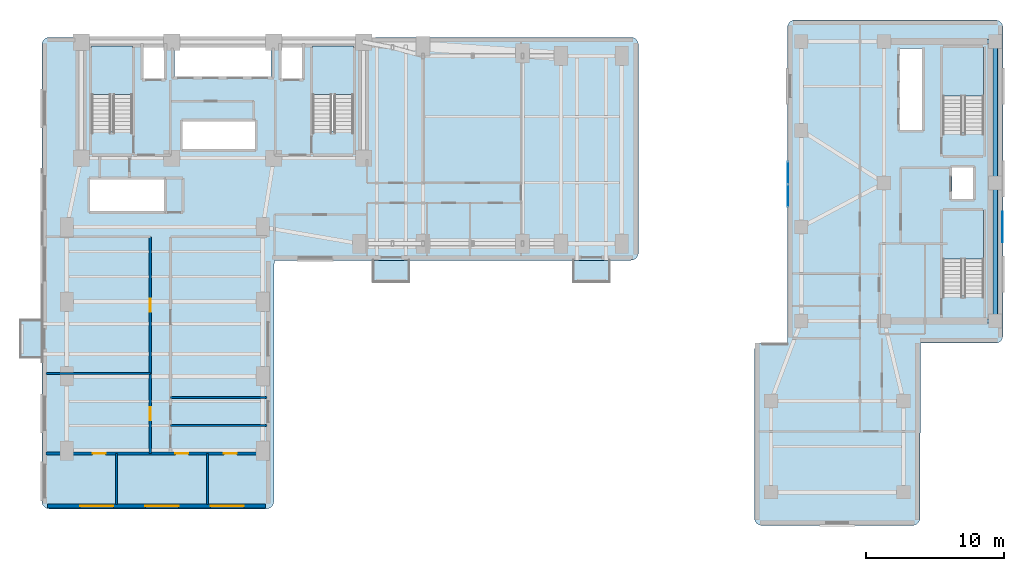
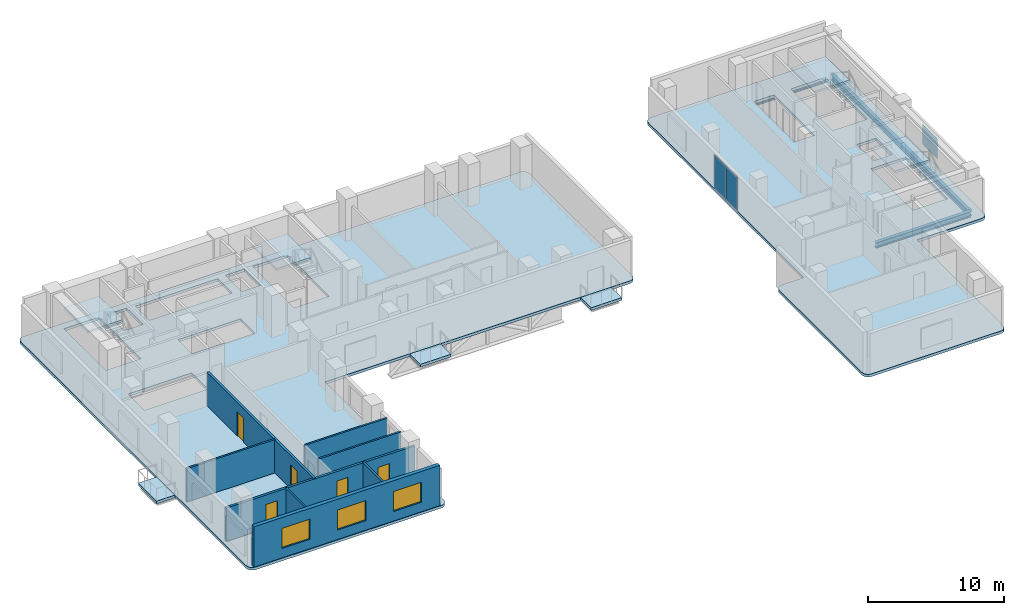
# One storey, part 7 of 15: 9 slabs, 8 walls, 5 doors, 4 beams, 3 plates, 3 windows, 8 openings, 5 elements without a shape of their own.
"""IFC4 building model written with IfcOpenShell, lengths in metres."""

from ifc_helpers import new_model, si_unit, direction, frame, frame_2d, origin, origin_2d, place, context, subcontext, project, spatial, polyline, rectangle, i_section, outline, extrude, material, layer, layer_set, material_profile, profile_set, type_object, element, fill, aggregate, save


model = new_model("IFC4")

# Units and contexts
model_context = context("Model", 3, precision=1e-05, world=origin(), true_north=direction((0.0, 1.0)))
body_context = subcontext(model_context, "Body", "Model", "MODEL_VIEW")
ifc_project = project(units=[si_unit("LENGTHUNIT", "METRE"), si_unit("AREAUNIT", "SQUARE_METRE"), si_unit("VOLUMEUNIT", "CUBIC_METRE"), si_unit("PLANEANGLEUNIT", "RADIAN"), si_unit("MASSUNIT", "GRAM", prefix="KILO")], contexts=[model_context])

# Site, building, storey
site_placement = place(None, origin())
site = spatial("IfcSite", under=ifc_project, at=site_placement, CompositionType="ELEMENT")
building_placement = place(site_placement, origin())
building = spatial("IfcBuilding", under=site, at=building_placement, Name="Kuzgunbayir Cultural Tower", CompositionType="ELEMENT")
storey_placement = place(building_placement, frame((0.0, 0.0, 39.800048828125)))
storey = spatial("IfcBuildingStorey", under=building, at=storey_placement, Name="L10", CompositionType="ELEMENT", Elevation=39.800048828125)

# Beams
ifc_material_1 = material(Name="Steel S355J2", Category="steel")
ifc_material_profile = material_profile(ifc_material_1, i_section(OverallWidth=0.300048828125, OverallDepth=0.5, WebThickness=0.014404296875, FlangeThickness=0.028076171875, FilletRadius=0.027099609375, at=origin_2d()), Name="HEB 500")
ifc_profile_set = profile_set([ifc_material_profile], Name="Steel S355J2")
beam_type = type_object("IfcBeamType", Name="BM-GIR-HEB500", PredefinedType="BEAM", material=ifc_profile_set)
beam_1_placement = place(storey_placement, frame((72.64990234375, 22.0, -0.489990234375), z_axis=(0.0, 1.0, 0.0), x_axis=(-1.0, 0.0, 0.0)))
element("IfcBeam", 1, at=beam_1_placement, inside=storey, type_object=beam_type, Name="L10 Companion Core East Girder 1", PredefinedType="BEAM", context=body_context, shape_type="SweptSolid", body=[
    extrude(i_section(OverallWidth=0.300048828125, OverallDepth=0.5, WebThickness=0.014404296875, FlangeThickness=0.028076171875, FilletRadius=0.027099609375, at=origin_2d()), origin(), (0.0, 0.0, 1.0), 10.0),
])
beam_2_placement = place(storey_placement, frame((72.64990234375, 32.0, -0.489990234375), z_axis=(0.0, 1.0, 0.0), x_axis=(-1.0, 0.0, 0.0)))
element("IfcBeam", 2, at=beam_2_placement, inside=storey, type_object=beam_type, Name="L10 Companion Core East Girder 2", PredefinedType="BEAM", context=body_context, shape_type="SweptSolid", body=[
    extrude(i_section(OverallWidth=0.300048828125, OverallDepth=0.5, WebThickness=0.014404296875, FlangeThickness=0.028076171875, FilletRadius=0.027099609375, at=origin_2d()), origin(), (0.0, 0.0, 1.0), 10.25),
])
for number, where, z_axis, x_axis, name in (
    (3, (64.60009765625, 22.0, -0.489990234375), (1.0, 0.0, 0.0), (0.0, 1.0, 0.0), "L10 Companion Core South Girder"),
    (4, (64.60009765625, 42.25, -0.489990234375), (1.0, 0.0, 0.0), (0.0, 1.0, 0.0), "L10 Companion Core North Girder"),
):
    element("IfcBeam", number, at=place(storey_placement, frame(where, z_axis=z_axis, x_axis=x_axis)), inside=storey, type_object=beam_type, Name=name, PredefinedType="BEAM", context=body_context, shape_type="SweptSolid", body=[
        extrude(i_section(OverallWidth=0.300048828125, OverallDepth=0.5, WebThickness=0.014404296875, FlangeThickness=0.028076171875, FilletRadius=0.027099609375, at=origin_2d()), origin(), (0.0, 0.0, 1.0), 8.0498046875),
    ])

# Curtain wall, plates
ifc_material_2 = material(Name="Anodised Aluminium Framing", Category="aluminium")
curtain_wall_type = type_object("IfcCurtainWallType", Name="CW04-T2-CULTURAL", PredefinedType="NOTDEFINED", material=ifc_material_2)
curtain_wall_placement = place(storey_placement, origin())
curtain_wall = element("IfcCurtainWall", 5, at=curtain_wall_placement, inside=storey, type_object=curtain_wall_type, Name="L10 Companion Cultural Curtain Wall", PredefinedType="NOTDEFINED")
ifc_material_3 = material(Name="Solar-Control Triple Glazing", Category="glass")
ifc_layer_1 = layer(ifc_material_3, 0.035888671875)
ifc_layer_set_1 = layer_set([ifc_layer_1], Name="Solar-Control Triple Glazing")
plate_type_1 = type_object("IfcPlateType", Name="PLT-CW-GLASS-36", PredefinedType="CURTAIN_PANEL", material=ifc_layer_set_1)
plate_1_placement = place(storey_placement, frame((57.6201171875, 31.06494140625, 0.06005859375), z_axis=(0.0, 0.0, 1.0), x_axis=(0.0, 1.0, 0.0)))
plate_1 = element("IfcPlate", 6, at=plate_1_placement, type_object=plate_type_1, Name="CW04 panel 1.1", PredefinedType="CURTAIN_PANEL", context=body_context, shape_type="SweptSolid", body=[
    extrude(rectangle(XDim=1.610107421875, YDim=0.035888671875, at=origin_2d()), origin(), (0.0, 0.0, 1.0), 2.949951171875),
])
plate_2_placement = place(storey_placement, frame((57.6201171875, 32.735107421875, 0.06005859375), z_axis=(0.0, 0.0, 1.0), x_axis=(0.0, 1.0, 0.0)))
plate_2 = element("IfcPlate", 7, at=plate_2_placement, type_object=plate_type_1, Name="CW04 panel 2.1", PredefinedType="CURTAIN_PANEL", context=body_context, shape_type="SweptSolid", body=[
    extrude(rectangle(XDim=1.610107421875, YDim=0.035888671875, at=origin_2d()), origin(), (0.0, 0.0, 1.0), 2.949951171875),
])
aggregate(curtain_wall, [plate_1, plate_2])

# Plate
ifc_material_4 = material(Name="Perforated Bronze-Anodised Aluminium", Category="aluminium")
ifc_layer_2 = layer(ifc_material_4, 0.02392578125)
ifc_layer_set_2 = layer_set([ifc_layer_2], Name="Perforated Bronze-Anodised Aluminium")
plate_type_2 = type_object("IfcPlateType", Name="PLT-SOLAR-SCREEN-14", PredefinedType="SHEET", material=ifc_layer_set_2)
plate_3_placement = place(storey_placement, frame((73.169921875, 28.800048828125, 0.75), z_axis=(0.0, 0.0, 1.0), x_axis=(1.0, 0.0, 0.0)))
element("IfcPlate", 8, at=plate_3_placement, inside=storey, type_object=plate_type_2, Name="L10 Companion Perforated Ceramic Solar Screen Panel", PredefinedType="SHEET", context=body_context, shape_type="SweptSolid", body=[
    extrude(rectangle(XDim=0.02392578125, YDim=2.199951171875, at=origin_2d()), origin(), (0.0, 0.0, 1.0), 1.800048828125),
])

# Slabs
ifc_material_5 = material(Name="Concrete C40/50", Category="concrete")
ifc_layer_3 = layer(ifc_material_5, 0.239990234375)
ifc_layer_set_3 = layer_set([ifc_layer_3], Name="Concrete C40/50")
slab_type_1 = type_object("IfcSlabType", Name="SLB-BAL-TRN", PredefinedType="FLOOR", material=ifc_layer_set_3)
slab_1_placement = place(storey_placement, frame((0.0, 0.0, -0.239990234375)))
element("IfcSlab", 9, at=slab_1_placement, inside=storey, type_object=slab_type_1, Name="L10 Projecting Limestone Balcony BAL-L10-WA2", PredefinedType="FLOOR", context=body_context, shape_type="SweptSolid", body=[
    extrude(outline(polyline([(2.0400390625, 19.35009765625), (3.60009765625, 19.35009765625), (3.60009765625, 22.050048828125), (2.0400390625, 22.050048828125), (2.0400390625, 19.35009765625)])), origin(), (0.0, 0.0, 1.0), 0.239990234375),
])
slab_2_placement = place(storey_placement, frame((0.0, 0.0, -0.239990234375)))
element("IfcSlab", 10, at=slab_2_placement, inside=storey, type_object=slab_type_1, Name="L10 Projecting Limestone Balcony BAL-L10-WB1", PredefinedType="FLOOR", context=body_context, shape_type="SweptSolid", body=[
    extrude(outline(polyline([(27.60009765625, 24.840087890625), (30.199951171875, 24.840087890625), (30.199951171875, 26.39990234375), (27.60009765625, 26.39990234375), (27.60009765625, 24.840087890625)])), origin(), (0.0, 0.0, 1.0), 0.239990234375),
])
slab_3_placement = place(storey_placement, frame((0.0, 0.0, -0.239990234375)))
element("IfcSlab", 11, at=slab_3_placement, inside=storey, type_object=slab_type_1, Name="L10 Projecting Limestone Balcony BAL-L10-WB3", PredefinedType="FLOOR", context=body_context, shape_type="SweptSolid", body=[
    extrude(outline(polyline([(42.10009765625, 24.840087890625), (44.699951171875, 24.840087890625), (44.699951171875, 26.39990234375), (42.10009765625, 26.39990234375), (42.10009765625, 24.840087890625)])), origin(), (0.0, 0.0, 1.0), 0.239990234375),
])

# Stair, slab
stair_type = type_object("IfcStairType", Name="STR-EXIT-CORE", PredefinedType="HALF_TURN_STAIR", material=ifc_material_5)
stair_1_placement = place(storey_placement, origin())
stair_1 = element("IfcStair", 12, at=stair_1_placement, inside=storey, type_object=stair_type, Name="L10 ST-1", PredefinedType="HALF_TURN_STAIR")
ifc_layer_4 = layer(ifc_material_5, 0.179931640625)
ifc_layer_set_4 = layer_set([ifc_layer_4], Name="Concrete C40/50")
slab_type_2 = type_object("IfcSlabType", Name="SLB-LANDING-180", PredefinedType="LANDING", material=ifc_layer_set_4)
slab_4_placement = place(storey_placement, frame((0.0, 0.0, 1.699951171875)))
slab_4 = element("IfcSlab", 13, at=slab_4_placement, type_object=slab_type_2, Name="ST-1 landing 1", PredefinedType="LANDING", context=body_context, shape_type="SweptSolid", body=[
    extrude(outline(polyline([(10.159912109375, 38.39990234375), (10.159912109375, 41.89990234375), (7.199951171875, 41.89990234375), (7.199951171875, 38.39990234375), (10.159912109375, 38.39990234375)])), origin(), (0.0, 0.0, 1.0), 0.199951171875),
])
aggregate(stair_1, [slab_4])

stair_2_placement = place(storey_placement, origin())
stair_2 = element("IfcStair", 14, at=stair_2_placement, inside=storey, type_object=stair_type, Name="L10 ST-2", PredefinedType="HALF_TURN_STAIR")
slab_5_placement = place(storey_placement, frame((0.0, 0.0, 1.699951171875)))
slab_5 = element("IfcSlab", 15, at=slab_5_placement, type_object=slab_type_2, Name="ST-2 landing 1", PredefinedType="LANDING", context=body_context, shape_type="SweptSolid", body=[
    extrude(outline(polyline([(26.159912109375, 38.39990234375), (26.159912109375, 41.89990234375), (23.199951171875, 41.89990234375), (23.199951171875, 38.39990234375), (26.159912109375, 38.39990234375)])), origin(), (0.0, 0.0, 1.0), 0.199951171875),
])
aggregate(stair_2, [slab_5])

stair_3_placement = place(storey_placement, origin())
stair_3 = element("IfcStair", 16, at=stair_3_placement, inside=storey, type_object=stair_type, Name="L10 ST-3", PredefinedType="HALF_TURN_STAIR")
slab_6_placement = place(storey_placement, frame((0.0, 0.0, 1.699951171875)))
slab_6 = element("IfcSlab", 17, at=slab_6_placement, type_object=slab_type_2, Name="ST-3 landing 1", PredefinedType="LANDING", context=body_context, shape_type="SweptSolid", body=[
    extrude(outline(polyline([(71.800048828125, 26.5), (71.800048828125, 30.0), (68.840087890625, 30.0), (68.840087890625, 26.5), (71.800048828125, 26.5)])), origin(), (0.0, 0.0, 1.0), 0.199951171875),
])
aggregate(stair_3, [slab_6])

stair_4_placement = place(storey_placement, origin())
stair_4 = element("IfcStair", 18, at=stair_4_placement, inside=storey, type_object=stair_type, Name="L10 ST-4", PredefinedType="HALF_TURN_STAIR")
slab_7_placement = place(storey_placement, frame((0.0, 0.0, 1.699951171875)))
slab_7 = element("IfcSlab", 19, at=slab_7_placement, type_object=slab_type_2, Name="ST-4 landing 1", PredefinedType="LANDING", context=body_context, shape_type="SweptSolid", body=[
    extrude(outline(polyline([(71.800048828125, 38.300048828125), (71.800048828125, 41.800048828125), (68.840087890625, 41.800048828125), (68.840087890625, 38.300048828125), (71.800048828125, 38.300048828125)])), origin(), (0.0, 0.0, 1.0), 0.199951171875),
])
aggregate(stair_4, [slab_7])

# Slabs
ifc_layer_5 = layer(ifc_material_5, 0.239990234375)
ifc_layer_set_5 = layer_set([ifc_layer_5], Name="Concrete C40/50")
slab_type_3 = type_object("IfcSlabType", Name="SLB-TRN-240", PredefinedType="FLOOR", material=ifc_layer_set_5)
slab_8_placement = place(storey_placement, frame((0.0, 0.0, -0.239990234375)))
element("IfcSlab", 20, at=slab_8_placement, inside=storey, type_object=slab_type_3, Name="L10 Tower 1 Floor Slab T1-MAIN", PredefinedType="FLOOR", context=body_context, shape_type="SweptSolid", body=[
    extrude(outline(polyline([(20.39990234375, 8.949951171875), (20.389892578125, 8.840087890625), (20.360107421875, 8.739990234375), (20.31005859375, 8.639892578125), (20.239990234375, 8.56005859375), (20.159912109375, 8.489990234375), (20.06005859375, 8.43994140625), (19.9599609375, 8.409912109375), (19.85009765625, 8.39990234375), (4.14990234375, 8.39990234375), (4.0400390625, 8.409912109375), (3.93994140625, 8.43994140625), (3.840087890625, 8.489990234375), (3.760009765625, 8.56005859375), (3.68994140625, 8.639892578125), (3.639892578125, 8.739990234375), (3.610107421875, 8.840087890625), (3.60009765625, 8.949951171875), (3.60009765625, 42.0), (3.610107421875, 42.110107421875), (3.639892578125, 42.2099609375), (3.68994140625, 42.31005859375), (3.760009765625, 42.389892578125), (3.840087890625, 42.4599609375), (3.93994140625, 42.510009765625), (4.0400390625, 42.5400390625), (4.14990234375, 42.550048828125), (46.25, 42.550048828125), (46.360107421875, 42.5400390625), (46.4599609375, 42.510009765625), (46.56005859375, 42.4599609375), (46.639892578125, 42.389892578125), (46.7099609375, 42.31005859375), (46.760009765625, 42.2099609375), (46.7900390625, 42.110107421875), (46.800048828125, 42.0), (46.800048828125, 26.949951171875), (46.7900390625, 26.840087890625), (46.760009765625, 26.739990234375), (46.7099609375, 26.639892578125), (46.639892578125, 26.56005859375), (46.56005859375, 26.489990234375), (46.4599609375, 26.43994140625), (46.360107421875, 26.409912109375), (46.25, 26.39990234375), (20.429931640625, 26.39990234375), (20.39990234375, 8.949951171875)]), holes=[polyline([(7.199951171875, 35.760009765625), (7.199951171875, 41.89990234375), (10.159912109375, 41.89990234375), (10.159912109375, 35.760009765625), (7.199951171875, 35.760009765625)]), polyline([(23.199951171875, 35.760009765625), (23.199951171875, 41.89990234375), (26.159912109375, 41.89990234375), (26.159912109375, 35.760009765625), (23.199951171875, 35.760009765625)]), polyline([(13.199951171875, 39.699951171875), (13.199951171875, 41.800048828125), (20.199951171875, 41.800048828125), (20.199951171875, 39.699951171875), (13.199951171875, 39.699951171875)]), polyline([(13.75, 34.39990234375), (13.75, 36.5), (19.080078125, 36.5), (19.080078125, 34.39990234375), (13.75, 34.39990234375)]), polyline([(7.10009765625, 29.89990234375), (7.10009765625, 32.300048828125), (12.5, 32.300048828125), (12.5, 29.89990234375), (7.10009765625, 29.89990234375)]), polyline([(10.89990234375, 39.5), (10.89990234375, 41.89990234375), (12.5, 41.89990234375), (12.5, 39.5), (10.89990234375, 39.5)]), polyline([(20.89990234375, 39.5), (20.89990234375, 41.89990234375), (22.5, 41.89990234375), (22.5, 39.5), (20.89990234375, 39.5)])]), origin(), (0.0, 0.0, 1.0), 0.239990234375),
])
slab_9_placement = place(storey_placement, frame((0.0, 0.0, -0.239990234375)))
element("IfcSlab", 21, at=slab_9_placement, inside=storey, type_object=slab_type_3, Name="L10 Companion Tower 2 Floor Slab", PredefinedType="FLOOR", context=body_context, shape_type="SweptSolid", body=[
    extrude(outline(polyline([(57.60009765625, 20.39990234375), (57.60009765625, 43.25), (57.610107421875, 43.360107421875), (57.639892578125, 43.4599609375), (57.68994140625, 43.56005859375), (57.760009765625, 43.639892578125), (57.840087890625, 43.7099609375), (57.93994140625, 43.760009765625), (58.0400390625, 43.7900390625), (58.14990234375, 43.800048828125), (72.64990234375, 43.800048828125), (72.760009765625, 43.7900390625), (72.860107421875, 43.760009765625), (72.9599609375, 43.7099609375), (73.0400390625, 43.639892578125), (73.110107421875, 43.56005859375), (73.159912109375, 43.4599609375), (73.18994140625, 43.360107421875), (73.199951171875, 43.25), (73.199951171875, 20.949951171875), (73.18994140625, 20.840087890625), (73.159912109375, 20.739990234375), (73.110107421875, 20.639892578125), (73.0400390625, 20.56005859375), (72.9599609375, 20.489990234375), (72.860107421875, 20.43994140625), (72.760009765625, 20.409912109375), (72.64990234375, 20.39990234375), (67.22998046875, 20.39990234375), (67.199951171875, 7.75), (67.18994140625, 7.639892578125), (67.159912109375, 7.5400390625), (67.110107421875, 7.43994140625), (67.0400390625, 7.360107421875), (66.9599609375, 7.2900390625), (66.860107421875, 7.239990234375), (66.760009765625, 7.2099609375), (66.64990234375, 7.199951171875), (55.75, 7.199951171875), (55.639892578125, 7.2099609375), (55.5400390625, 7.239990234375), (55.43994140625, 7.2900390625), (55.360107421875, 7.360107421875), (55.2900390625, 7.43994140625), (55.239990234375, 7.5400390625), (55.2099609375, 7.639892578125), (55.199951171875, 7.75), (55.199951171875, 19.85009765625), (55.2099609375, 19.9599609375), (55.239990234375, 20.06005859375), (55.2900390625, 20.159912109375), (55.360107421875, 20.239990234375), (55.43994140625, 20.31005859375), (55.5400390625, 20.360107421875), (55.639892578125, 20.389892578125), (55.75, 20.39990234375), (57.570068359375, 20.39990234375), (57.60009765625, 20.39990234375)]), holes=[polyline([(68.840087890625, 23.860107421875), (68.840087890625, 30.0), (71.800048828125, 30.0), (71.800048828125, 23.860107421875), (68.840087890625, 23.860107421875)]), polyline([(68.840087890625, 35.659912109375), (68.840087890625, 41.800048828125), (71.800048828125, 41.800048828125), (71.800048828125, 35.659912109375), (68.840087890625, 35.659912109375)]), polyline([(65.699951171875, 35.800048828125), (65.699951171875, 41.75), (67.39990234375, 41.75), (67.39990234375, 35.800048828125), (65.699951171875, 35.800048828125)]), polyline([(69.5, 30.800048828125), (69.5, 33.199951171875), (71.10009765625, 33.199951171875), (71.10009765625, 30.800048828125), (69.5, 30.800048828125)])]), origin(), (0.0, 0.0, 1.0), 0.239990234375),
])

# Wall, openings, windows
ifc_material_6 = material(Name="Travertine Buff Ashlar", Category="masonry")
ifc_layer_6 = layer(ifc_material_6, 0.320068359375)
ifc_layer_set_6 = layer_set([ifc_layer_6], Name="Travertine Buff Ashlar")
wall_type_1 = type_object("IfcWallType", Name="WAL-EXT-STONE-320", PredefinedType="STANDARD", material=ifc_layer_set_6)
wall_1_placement = place(storey_placement, frame((4.0, 8.60009765625, 0.0), z_axis=(0.0, 0.0, 1.0), x_axis=(1.0, 0.0, 0.0)))
wall_1 = element("IfcWall", 22, at=wall_1_placement, inside=storey, type_object=wall_type_1, Name="L10 Wing A South Limestone Wall", PredefinedType="STANDARD", context=body_context, shape_type="SweptSolid", body=[
    extrude(rectangle(XDim=15.800048828125, YDim=0.320068359375, at=frame_2d((7.89990234375, 0.0))), origin(), (0.0, 0.0, 1.0), 3.619873046875),
])
opening_1_placement = place(wall_1_placement, frame((7.10009765625, 0.0, 0.85009765625)))
opening_1 = element("IfcOpeningElement", 23, at=opening_1_placement, cuts=wall_1, Name="Opening WO-24", PredefinedType="OPENING", context=body_context, shape_type="SweptSolid", body=[
    extrude(rectangle(XDim=2.39990234375, YDim=1.800048828125, at=frame_2d((1.199951171875, 0.89990234375))), frame((0.0, 0.169921875, 0.0), z_axis=(0.0, -1.0, 0.0), x_axis=(1.0, 0.0, 0.0)), (0.0, 0.0, 1.0), 0.340087890625),
])
opening_2_placement = place(wall_1_placement, frame((2.3701171875, 0.0, 0.85009765625)))
opening_2 = element("IfcOpeningElement", 24, at=opening_2_placement, cuts=wall_1, Name="Opening WO-24", PredefinedType="OPENING", context=body_context, shape_type="SweptSolid", body=[
    extrude(rectangle(XDim=2.39990234375, YDim=1.800048828125, at=frame_2d((1.199951171875, 0.89990234375))), frame((0.0, 0.169921875, 0.0), z_axis=(0.0, -1.0, 0.0), x_axis=(1.0, 0.0, 0.0)), (0.0, 0.0, 1.0), 0.340087890625),
])
opening_3_placement = place(wall_1_placement, frame((11.830078125, 0.0, 0.85009765625)))
opening_3 = element("IfcOpeningElement", 25, at=opening_3_placement, cuts=wall_1, Name="Opening WO-24", PredefinedType="OPENING", context=body_context, shape_type="SweptSolid", body=[
    extrude(rectangle(XDim=2.39990234375, YDim=1.800048828125, at=frame_2d((1.199951171875, 0.89990234375))), frame((0.0, 0.169921875, 0.0), z_axis=(0.0, -1.0, 0.0), x_axis=(1.0, 0.0, 0.0)), (0.0, 0.0, 1.0), 0.340087890625),
])
window_type = type_object("IfcWindowType", Name="WIN-OFFICE-24", PartitioningType="SINGLE_PANEL", PredefinedType="WINDOW", material=ifc_material_3)
window_1_placement = place(opening_1_placement, origin())
window_1 = element("IfcWindow", 26, at=window_1_placement, inside=storey, type_object=window_type, Name="L10 WAS Facade Window 1", OverallHeight=1.800048828125, OverallWidth=2.39990234375, PartitioningType="SINGLE_PANEL", PredefinedType="WINDOW", context=body_context, shape_type="SweptSolid", body=[
    extrude(rectangle(XDim=2.39990234375, YDim=1.800048828125, at=frame_2d((1.199951171875, 0.89990234375))), frame((0.0, 0.030029296875, 0.0), z_axis=(0.0, -1.0, 0.0), x_axis=(1.0, 0.0, 0.0)), (0.0, 0.0, 1.0), 0.06005859375),
])
fill(opening_1, window_1)
window_2_placement = place(opening_2_placement, origin())
window_2 = element("IfcWindow", 27, at=window_2_placement, inside=storey, type_object=window_type, Name="L10 WAS Facade Window 9", OverallHeight=1.800048828125, OverallWidth=2.39990234375, PartitioningType="SINGLE_PANEL", PredefinedType="WINDOW", context=body_context, shape_type="SweptSolid", body=[
    extrude(rectangle(XDim=2.39990234375, YDim=1.800048828125, at=frame_2d((1.199951171875, 0.89990234375))), frame((0.0, 0.030029296875, 0.0), z_axis=(0.0, -1.0, 0.0), x_axis=(1.0, 0.0, 0.0)), (0.0, 0.0, 1.0), 0.06005859375),
])
fill(opening_2, window_2)
window_3_placement = place(opening_3_placement, origin())
window_3 = element("IfcWindow", 28, at=window_3_placement, inside=storey, type_object=window_type, Name="L10 WAS Facade Window 10", OverallHeight=1.800048828125, OverallWidth=2.39990234375, PartitioningType="SINGLE_PANEL", PredefinedType="WINDOW", context=body_context, shape_type="SweptSolid", body=[
    extrude(rectangle(XDim=2.39990234375, YDim=1.800048828125, at=frame_2d((1.199951171875, 0.89990234375))), frame((0.0, 0.030029296875, 0.0), z_axis=(0.0, -1.0, 0.0), x_axis=(1.0, 0.0, 0.0)), (0.0, 0.0, 1.0), 0.06005859375),
])
fill(opening_3, window_3)

# Walls
ifc_material_7 = material(Name="Acoustic Double-Stud Drywall", Category="gypsum")
ifc_layer_7 = layer(ifc_material_7, 0.14990234375)
ifc_layer_set_7 = layer_set([ifc_layer_7], Name="Acoustic Double-Stud Drywall")
wall_type_2 = type_object("IfcWallType", Name="WAL-PART-ACOUSTIC-150", PredefinedType="PARTITIONING", material=ifc_layer_set_7)
wall_2_placement = place(storey_placement, frame((3.89990234375, 18.2099609375, 0.0), z_axis=(0.0, 0.0, 1.0), x_axis=(1.0, 0.0, 0.0)))
element("IfcWall", 29, at=wall_2_placement, inside=storey, type_object=wall_type_2, Name="L10 West Suite Partition 1", PredefinedType="PARTITIONING", context=body_context, shape_type="SweptSolid", body=[
    extrude(rectangle(XDim=7.550048828125, YDim=0.14990234375, at=frame_2d((3.77490234375, 0.0))), origin(), (0.0, 0.0, 1.0), 3.0),
])
for number, where, z_axis, x_axis, name in (
    (30, (9.02001953125, 8.699951171875, 0.0), (0.0, 0.0, 1.0), (0.0, 1.0, 0.0), "L10 South Suite Divider 1"),
    (31, (15.580078125, 8.699951171875, 0.0), (0.0, 0.0, 1.0), (0.0, 1.0, 0.0), "L10 South Suite Divider 2"),
):
    element("IfcWall", number, at=place(storey_placement, frame(where, z_axis=z_axis, x_axis=x_axis)), inside=storey, type_object=wall_type_2, Name=name, PredefinedType="PARTITIONING", context=body_context, shape_type="SweptSolid", body=[
        extrude(rectangle(XDim=3.699951171875, YDim=0.14990234375, at=frame_2d((1.85009765625, 0.0))), origin(), (0.0, 0.0, 1.0), 3.0),
    ])

# Wall, openings, doors
ifc_material_8 = material(Name="Aerated Concrete Blockwork", Category="masonry")
ifc_layer_8 = layer(ifc_material_8, 0.199951171875)
ifc_layer_set_8 = layer_set([ifc_layer_8], Name="Aerated Concrete Blockwork")
wall_type_3 = type_object("IfcWallType", Name="WAL-PART-FIRE-200", PredefinedType="PARTITIONING", material=ifc_layer_set_8)
wall_3_placement = place(storey_placement, frame((11.449951171875, 12.39990234375, 0.0), z_axis=(0.0, 0.0, 1.0), x_axis=(0.0, 1.0, 0.0)))
wall_3 = element("IfcWall", 32, at=wall_3_placement, inside=storey, type_object=wall_type_3, Name="L10 Wing A West Corridor Wall", PredefinedType="PARTITIONING", context=body_context, shape_type="SweptSolid", body=[
    extrude(rectangle(XDim=15.7001953125, YDim=0.199951171875, at=frame_2d((7.85009765625, 0.0))), origin(), (0.0, 0.0, 1.0), 3.0),
])
opening_4_placement = place(wall_3_placement, frame((2.419921875, 0.0, 0.0)))
opening_4 = element("IfcOpeningElement", 33, at=opening_4_placement, cuts=wall_3, Name="Opening DI-90", PredefinedType="OPENING", context=body_context, shape_type="SweptSolid", body=[
    extrude(rectangle(XDim=0.949951171875, YDim=2.14990234375, at=frame_2d((0.47509765625, 1.074951171875))), frame((0.0, 0.10986328125, 0.0), z_axis=(0.0, -1.0, 0.0), x_axis=(1.0, 0.0, 0.0)), (0.0, 0.0, 1.0), 0.219970703125),
])
opening_5_placement = place(wall_3_placement, frame((10.280029296875, 0.0, 0.0)))
opening_5 = element("IfcOpeningElement", 34, at=opening_5_placement, cuts=wall_3, Name="Opening DI-90", PredefinedType="OPENING", context=body_context, shape_type="SweptSolid", body=[
    extrude(rectangle(XDim=0.949951171875, YDim=2.14990234375, at=frame_2d((0.47509765625, 1.074951171875))), frame((0.0, 0.10986328125, 0.0), z_axis=(0.0, -1.0, 0.0), x_axis=(1.0, 0.0, 0.0)), (0.0, 0.0, 1.0), 0.219970703125),
])
ifc_material_9 = material(Name="Veneered Oak Single Leaf", Category="wood")
door_type = type_object("IfcDoorType", Name="DR-INT-90", OperationType="NOTDEFINED", PredefinedType="DOOR", material=ifc_material_9)
door_1_placement = place(opening_4_placement, origin())
door_1 = element("IfcDoor", 35, at=door_1_placement, inside=storey, type_object=door_type, Name="L10 Culinary Tasting Pantry W1 Door", OperationType="SINGLE_SWING_RIGHT", OverallHeight=2.14990234375, OverallWidth=0.949951171875, PredefinedType="DOOR", context=body_context, shape_type="SweptSolid", body=[
    extrude(rectangle(XDim=0.949951171875, YDim=2.14990234375, at=frame_2d((0.47509765625, 1.074951171875))), frame((0.0, 0.02490234375, 0.0), z_axis=(0.0, -1.0, 0.0), x_axis=(1.0, 0.0, 0.0)), (0.0, 0.0, 1.0), 0.050048828125),
])
fill(opening_4, door_1)
door_2_placement = place(opening_5_placement, origin())
door_2 = element("IfcDoor", 36, at=door_2_placement, inside=storey, type_object=door_type, Name="L10 Curatorial Office W2 Door", OperationType="SINGLE_SWING_LEFT", OverallHeight=2.14990234375, OverallWidth=0.949951171875, PredefinedType="DOOR", context=body_context, shape_type="SweptSolid", body=[
    extrude(rectangle(XDim=0.949951171875, YDim=2.14990234375, at=frame_2d((0.47509765625, 1.074951171875))), frame((0.0, 0.02490234375, 0.0), z_axis=(0.0, -1.0, 0.0), x_axis=(1.0, 0.0, 0.0)), (0.0, 0.0, 1.0), 0.050048828125),
])
fill(opening_5, door_2)

wall_4_placement = place(storey_placement, frame((3.89990234375, 12.39990234375, 0.0), z_axis=(0.0, 0.0, 1.0), x_axis=(1.0, 0.0, 0.0)))
wall_4 = element("IfcWall", 37, at=wall_4_placement, inside=storey, type_object=wall_type_3, Name="L10 South Cross Partition", PredefinedType="PARTITIONING", context=body_context, shape_type="SweptSolid", body=[
    extrude(rectangle(XDim=16.0, YDim=0.199951171875, at=frame_2d((8.0, 0.0))), origin(), (0.0, 0.0, 1.0), 3.0),
])
opening_6_placement = place(wall_4_placement, frame((3.3701171875, 0.0, 0.0)))
opening_6 = element("IfcOpeningElement", 38, at=opening_6_placement, cuts=wall_4, Name="Opening DI-90", PredefinedType="OPENING", context=body_context, shape_type="SweptSolid", body=[
    extrude(rectangle(XDim=0.949951171875, YDim=2.14990234375, at=frame_2d((0.47509765625, 1.074951171875))), frame((0.0, 0.10986328125, 0.0), z_axis=(0.0, -1.0, 0.0), x_axis=(1.0, 0.0, 0.0)), (0.0, 0.0, 1.0), 0.219970703125),
])
opening_7_placement = place(wall_4_placement, frame((9.360107421875, 0.0, 0.0)))
opening_7 = element("IfcOpeningElement", 39, at=opening_7_placement, cuts=wall_4, Name="Opening DI-90", PredefinedType="OPENING", context=body_context, shape_type="SweptSolid", body=[
    extrude(rectangle(XDim=0.949951171875, YDim=2.14990234375, at=frame_2d((0.47509765625, 1.074951171875))), frame((0.0, 0.10986328125, 0.0), z_axis=(0.0, -1.0, 0.0), x_axis=(1.0, 0.0, 0.0)), (0.0, 0.0, 1.0), 0.219970703125),
])
opening_8_placement = place(wall_4_placement, frame((12.8798828125, 0.0, 0.0)))
opening_8 = element("IfcOpeningElement", 40, at=opening_8_placement, cuts=wall_4, Name="Opening DI-90", PredefinedType="OPENING", context=body_context, shape_type="SweptSolid", body=[
    extrude(rectangle(XDim=0.949951171875, YDim=2.14990234375, at=frame_2d((0.47509765625, 1.074951171875))), frame((0.0, 0.10986328125, 0.0), z_axis=(0.0, -1.0, 0.0), x_axis=(1.0, 0.0, 0.0)), (0.0, 0.0, 1.0), 0.219970703125),
])
door_3_placement = place(opening_6_placement, origin())
door_3 = element("IfcDoor", 41, at=door_3_placement, inside=storey, type_object=door_type, Name="L10 South Suite S1 Door", OperationType="SINGLE_SWING_RIGHT", OverallHeight=2.14990234375, OverallWidth=0.949951171875, PredefinedType="DOOR", context=body_context, shape_type="SweptSolid", body=[
    extrude(rectangle(XDim=0.949951171875, YDim=2.14990234375, at=frame_2d((0.47509765625, 1.074951171875))), frame((0.0, 0.02490234375, 0.0), z_axis=(0.0, -1.0, 0.0), x_axis=(1.0, 0.0, 0.0)), (0.0, 0.0, 1.0), 0.050048828125),
])
fill(opening_6, door_3)
door_4_placement = place(opening_7_placement, origin())
door_4 = element("IfcDoor", 42, at=door_4_placement, inside=storey, type_object=door_type, Name="L10 South Suite S2 Door", OperationType="SINGLE_SWING_LEFT", OverallHeight=2.14990234375, OverallWidth=0.949951171875, PredefinedType="DOOR", context=body_context, shape_type="SweptSolid", body=[
    extrude(rectangle(XDim=0.949951171875, YDim=2.14990234375, at=frame_2d((0.47509765625, 1.074951171875))), frame((0.0, 0.02490234375, 0.0), z_axis=(0.0, -1.0, 0.0), x_axis=(1.0, 0.0, 0.0)), (0.0, 0.0, 1.0), 0.050048828125),
])
fill(opening_7, door_4)
door_5_placement = place(opening_8_placement, origin())
door_5 = element("IfcDoor", 43, at=door_5_placement, inside=storey, type_object=door_type, Name="L10 South Suite S3 Door", OperationType="SINGLE_SWING_RIGHT", OverallHeight=2.14990234375, OverallWidth=0.949951171875, PredefinedType="DOOR", context=body_context, shape_type="SweptSolid", body=[
    extrude(rectangle(XDim=0.949951171875, YDim=2.14990234375, at=frame_2d((0.47509765625, 1.074951171875))), frame((0.0, 0.02490234375, 0.0), z_axis=(0.0, -1.0, 0.0), x_axis=(1.0, 0.0, 0.0)), (0.0, 0.0, 1.0), 0.050048828125),
])
fill(opening_8, door_5)

# Walls
ifc_material_10 = material(Name="Moisture-Resistant Tile Partition", Category="gypsum")
ifc_layer_9 = layer(ifc_material_10, 0.14990234375)
ifc_layer_set_9 = layer_set([ifc_layer_9], Name="Moisture-Resistant Tile Partition")
wall_type_4 = type_object("IfcWallType", Name="WAL-PART-WET-150", PredefinedType="PARTITIONING", material=ifc_layer_set_9)
for number, where, z_axis, x_axis, name in (
    (44, (12.909912109375, 14.429931640625, 0.0), (0.0, 0.0, 1.0), (1.0, 0.0, 0.0), "L10 WC North Wall"),
    (45, (12.909912109375, 16.4599609375, 0.0), (0.0, 0.0, 1.0), (1.0, 0.0, 0.0), "L10 Accessible WC North Wall"),
):
    element("IfcWall", number, at=place(storey_placement, frame(where, z_axis=z_axis, x_axis=x_axis)), inside=storey, type_object=wall_type_4, Name=name, PredefinedType="PARTITIONING", context=body_context, shape_type="SweptSolid", body=[
        extrude(rectangle(XDim=6.989990234375, YDim=0.14990234375, at=frame_2d((3.4951171875, 0.0))), origin(), (0.0, 0.0, 1.0), 3.0),
    ])

save(model, "model.ifc")
